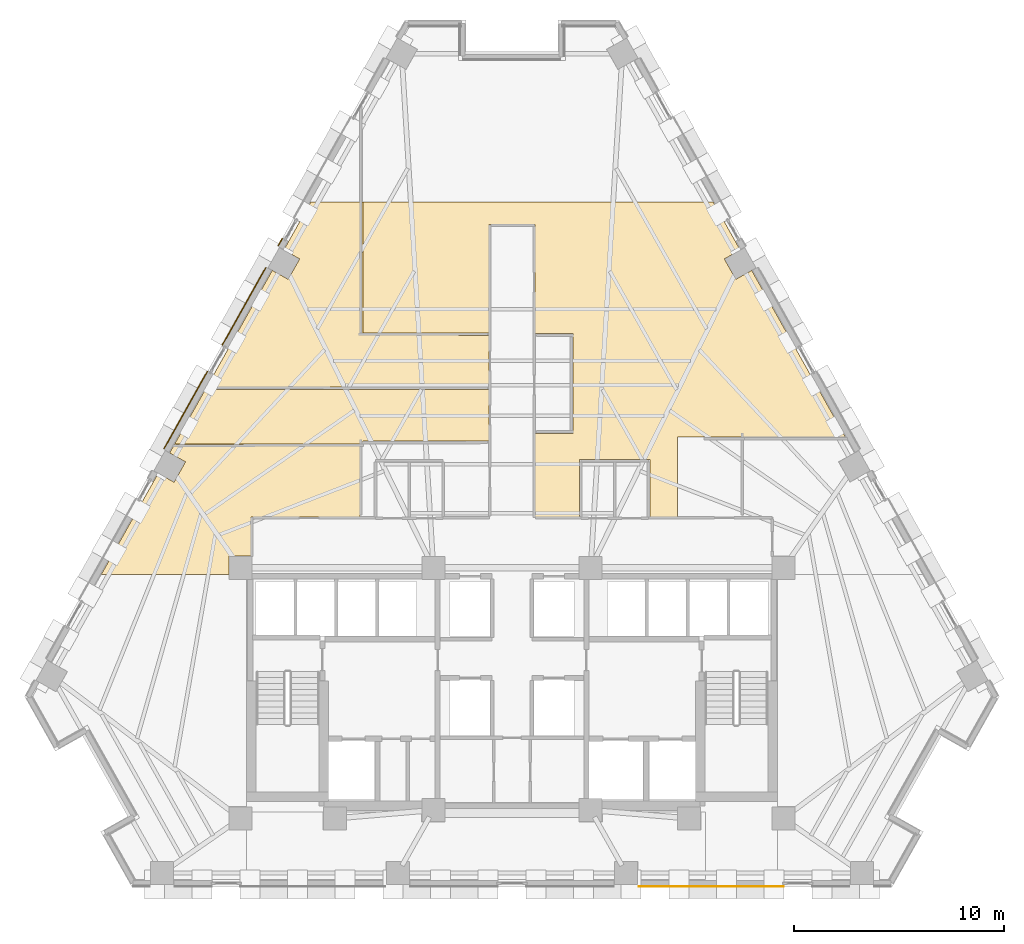
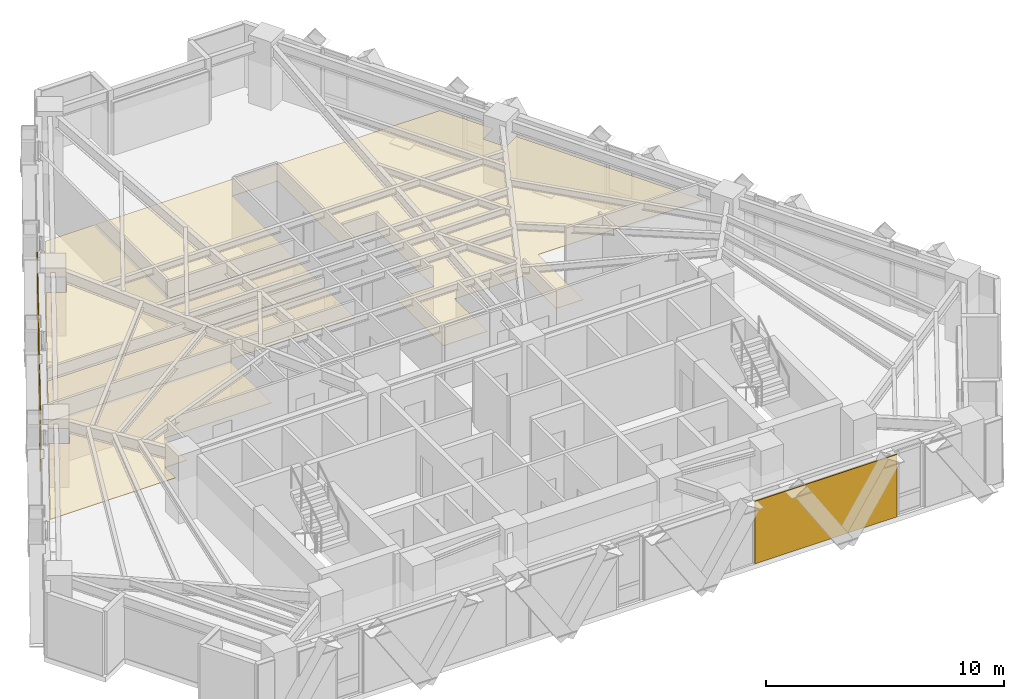
# One storey, part 11 of 13: 8 coverings.
"""IFC4 building model written with IfcOpenShell, lengths in metres."""

from ifc_helpers import new_model, si_unit, direction, frame, origin, place, context, subcontext, project, spatial, polyline, outline, extrude, material, layer, layer_set, type_object, element, save


model = new_model("IFC4")

# Units and contexts
model_context = context("Model", 3, precision=1e-05, world=origin(), true_north=direction((0.0, 1.0)))
body_context = subcontext(model_context, "Body", "Model", "MODEL_VIEW")
ifc_project = project(units=[si_unit("LENGTHUNIT", "METRE"), si_unit("AREAUNIT", "SQUARE_METRE"), si_unit("VOLUMEUNIT", "CUBIC_METRE"), si_unit("PLANEANGLEUNIT", "RADIAN"), si_unit("MASSUNIT", "GRAM", prefix="KILO")], contexts=[model_context])

# Site, building, storey
site_placement = place(None, origin())
site = spatial("IfcSite", under=ifc_project, at=site_placement, CompositionType="ELEMENT")
building_placement = place(site_placement, origin())
building = spatial("IfcBuilding", under=site, at=building_placement, Name="Quenlor Broadcast Tower", CompositionType="ELEMENT")
storey_placement = place(building_placement, frame((0.0, 0.0, 98.5)))
storey = spatial("IfcBuildingStorey", under=building, at=storey_placement, Name="L26", CompositionType="ELEMENT", Elevation=98.5)

# Coverings
ifc_material_1 = material(Name="Acoustic Mineral Fibre Board", Category="other")
ifc_layer_1 = layer(ifc_material_1, 0.02490234375)
ifc_layer_set_1 = layer_set([ifc_layer_1], Name="Acoustic Perforated Mineral Tile Ceiling 25")
covering_type_1 = type_object("IfcCoveringType", Name="Acoustic Perforated Mineral Tile Ceiling 25", PredefinedType="CEILING", material=ifc_layer_set_1)
covering_1_placement = place(storey_placement, frame((0.0, 0.0, 2.22509765625)))
element("IfcCovering", 1, at=covering_1_placement, inside=storey, type_object=covering_type_1, Name="L26 Acoustic Ceiling L26-33", PredefinedType="CEILING", context=body_context, shape_type="SweptSolid", body=[
    extrude(outline(polyline([(2.91650390625, 6.33642578125), (2.91064453125, 6.365234375), (1.10009765625, 6.3798828125), (1.10009765625, 11.580078125), (-1.10009765625, 11.580078125), (-1.10009765625, 6.409912109375), (-7.139892578125, 6.409912109375), (-7.139892578125, 12.64990234375), (9.59423828125, 12.64990234375), (10.883544921875, 10.35791015625), (10.126953125, 9.9326171875), (10.674072265625, 8.959716796875), (11.4306640625, 9.38525390625), (12.71142578125, 7.1083984375), (15.822265625, 1.578125), (15.88232421875, 1.47119140625), (15.89453125, 1.449462890625), (15.879150390625, 1.441650390625), (15.8505859375, 1.432861328125), (15.8212890625, 1.429931640625), (7.889892578125, 1.429931640625), (7.889892578125, -2.3701171875), (6.570068359375, -2.3701171875), (6.570068359375, 0.3701171875), (3.22998046875, 0.3701171875), (3.22998046875, -2.3701171875), (3.090087890625, -2.3701171875), (1.10009765625, -2.3701171875), (1.10009765625, 1.610107421875), (2.909912109375, 1.610107421875), (2.909912109375, 6.260009765625), (2.912841796875, 6.289306640625), (2.92138671875, 6.3173828125), (2.91650390625, 6.33642578125)])), origin(), (0.0, 0.0, 1.0), 0.02490234375),
])
covering_2_placement = place(storey_placement, frame((0.0, 0.0, 2.22509765625)))
element("IfcCovering", 2, at=covering_2_placement, inside=storey, type_object=covering_type_1, Name="L26 Acoustic Ceiling L26-34", PredefinedType="CEILING", context=body_context, shape_type="SweptSolid", body=[
    extrude(outline(polyline([(-10.126953125, 9.9326171875), (-10.883544921875, 10.35791015625), (-9.59423828125, 12.64990234375), (-7.1103515625, 12.64990234375), (-7.110107421875, 6.409912109375), (-7.11279296875, 6.380615234375), (-7.121337890625, 6.3525390625), (-7.116455078125, 6.33349609375), (-7.110595703125, 6.3046875), (-1.10009765625, 6.2900390625), (-1.10009765625, 3.8349609375), (-14.552734375, 3.8349609375), (-13.177734375, 6.279296875), (-11.4306640625, 9.38525390625), (-10.674072265625, 8.959716796875), (-10.126953125, 9.9326171875)])), origin(), (0.0, 0.0, 1.0), 0.02490234375),
])
covering_3_placement = place(storey_placement, frame((0.0, 0.0, 2.22509765625)))
element("IfcCovering", 3, at=covering_3_placement, inside=storey, type_object=covering_type_1, Name="L26 Acoustic Ceiling L26-36", PredefinedType="CEILING", context=body_context, shape_type="SweptSolid", body=[
    extrude(outline(polyline([(-7.164794921875, 1.14404296875), (-7.189208984375, 1.127685546875), (-7.216552734375, 1.116455078125), (-7.245361328125, 1.110595703125), (-16.001220703125, 1.110107421875), (-16.03076171875, 1.11279296875), (-16.05908203125, 1.12158203125), (-16.07470703125, 1.12939453125), (-14.6201171875, 3.715087890625), (-1.10009765625, 3.715087890625), (-1.10009765625, 1.260009765625), (-7.110107421875, 1.260009765625), (-7.11279296875, 1.230712890625), (-7.127685546875, 1.189208984375), (-7.14404296875, 1.164794921875), (-7.164794921875, 1.14404296875)])), origin(), (0.0, 0.0, 1.0), 0.02490234375),
])
covering_4_placement = place(storey_placement, frame((0.0, 0.0, 2.22509765625)))
element("IfcCovering", 4, at=covering_4_placement, inside=storey, type_object=covering_type_1, Name="L26 Acoustic Ceiling L26-40", PredefinedType="CEILING", context=body_context, shape_type="SweptSolid", body=[
    extrude(outline(polyline([(-16.873779296875, -0.29150390625), (-16.1171875, -0.717041015625), (-15.5703125, 0.255615234375), (-16.32666015625, 0.68115234375), (-16.068603515625, 1.139892578125), (-7.260009765625, 1.139892578125), (-7.260009765625, -2.3701171875), (-12.43994140625, -2.3701171875), (-12.43994140625, -4.241943359375), (-13.508056640625, -4.241943359375), (-13.508056640625, -5.1201171875), (-19.58984375, -5.1201171875), (-16.873779296875, -0.29150390625)])), origin(), (0.0, 0.0, 1.0), 0.02490234375),
])
ifc_material_2 = material(Name="Architectural Terracotta Ceramic", Category="masonry")
ifc_layer_2 = layer(ifc_material_2, 0.044921875)
ifc_layer_set_2 = layer_set([ifc_layer_2], Name="Fluted Terracotta Rainscreen Cladding Panel")
covering_type_2 = type_object("IfcCoveringType", Name="Fluted Terracotta Rainscreen Cladding Panel", PredefinedType="CLADDING", material=ifc_layer_set_2)
covering_5_placement = place(storey_placement, frame((0.0, 0.0, 0.02001953125)))
element("IfcCovering", 5, at=covering_5_placement, inside=storey, type_object=covering_type_2, Name="L26 Terracotta Rainscreen Cladding L26-SA-SP2", PredefinedType="CLADDING", context=body_context, shape_type="SweptSolid", body=[
    extrude(outline(polyline([(12.94873046875, -19.971923828125), (6.048095703125, -19.971923828125), (6.048095703125, -20.01708984375), (12.94873046875, -20.01708984375), (12.94873046875, -19.971923828125)])), origin(), (0.0, 0.0, 1.0), 3.2099609375),
])
covering_6_placement = place(storey_placement, frame((0.0, 0.0, 0.02001953125)))
element("IfcCovering", 6, at=covering_6_placement, inside=storey, type_object=covering_type_2, Name="L26 Terracotta Rainscreen Cladding L26-NWC-SP1", PredefinedType="CLADDING", context=body_context, shape_type="SweptSolid", body=[
    extrude(outline(polyline([(-11.13232421875, 10.552001953125), (-10.936279296875, 10.900634765625), (-10.9755859375, 10.922607421875), (-11.171630859375, 10.57421875), (-11.13232421875, 10.552001953125)])), origin(), (0.0, 0.0, 1.0), 3.2099609375),
])
covering_7_placement = place(storey_placement, frame((0.0, 0.0, 0.02001953125)))
element("IfcCovering", 7, at=covering_7_placement, inside=storey, type_object=covering_type_2, Name="L26 Terracotta Rainscreen Cladding L26-NW-SP1", PredefinedType="CLADDING", context=body_context, shape_type="SweptSolid", body=[
    extrude(outline(polyline([(-16.577880859375, 0.870849609375), (-14.499755859375, 4.565673828125), (-14.538818359375, 4.587646484375), (-16.6171875, 0.892822265625), (-16.577880859375, 0.870849609375)])), origin(), (0.0, 0.0, 1.0), 3.2099609375),
])
covering_8_placement = place(storey_placement, frame((0.0, 0.0, 0.02001953125)))
element("IfcCovering", 8, at=covering_8_placement, inside=storey, type_object=covering_type_2, Name="L26 Terracotta Rainscreen Cladding L26-NW-SP2", PredefinedType="CLADDING", context=body_context, shape_type="SweptSolid", body=[
    extrude(outline(polyline([(-13.801513671875, 5.806884765625), (-11.72314453125, 9.501708984375), (-11.76220703125, 9.523681640625), (-13.8408203125, 5.8291015625), (-13.801513671875, 5.806884765625)])), origin(), (0.0, 0.0, 1.0), 3.2099609375),
])

save(model, "model.ifc")
